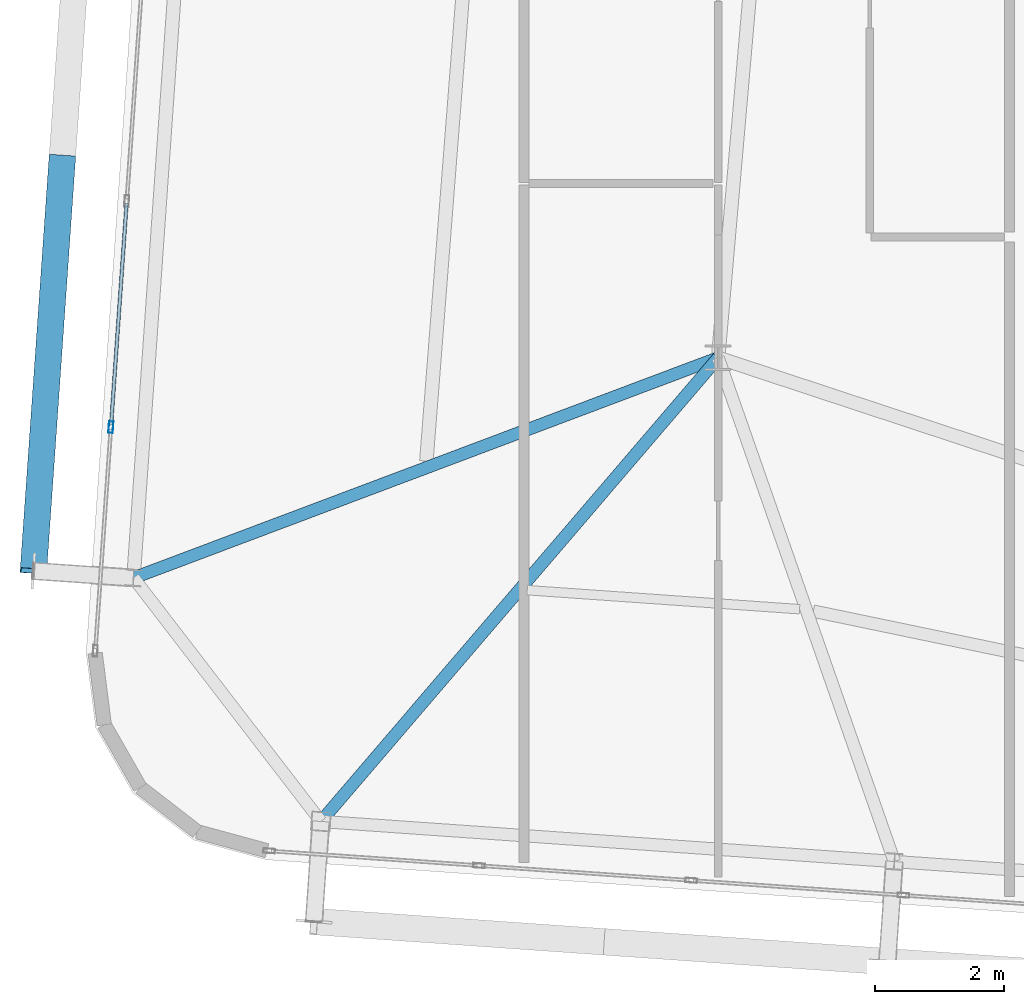
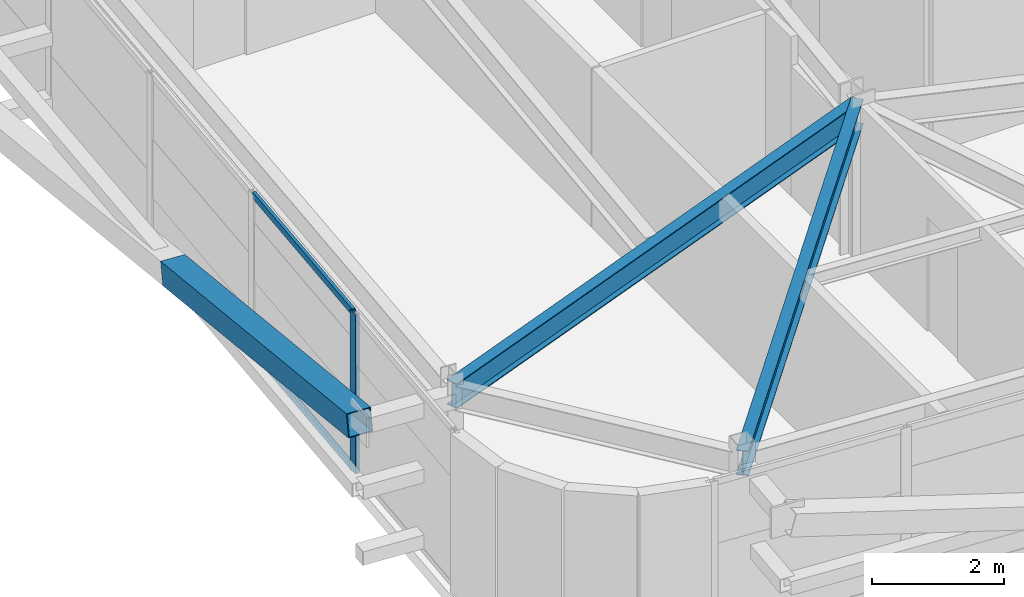
# One storey, part 8 of 47: 4 members, 2 beams, 1 element without a shape of its own.
"""IFC4 building model written with IfcOpenShell, lengths in metres."""

from ifc_helpers import new_model, si_unit, direction, frame, origin, origin_2d, place, context, subcontext, project, spatial, hollow_rectangle, i_section, extrude, source, transform, mapped, material, layer, layer_set, material_profile, profile_set, type_object, element, aggregate, save


model = new_model("IFC4")

# Units and contexts
model_context = context("Model", 3, precision=1e-05, world=origin(), true_north=direction((0.0, 1.0)))
body_context = subcontext(model_context, "Body", "Model", "MODEL_VIEW")
ifc_project = project(units=[si_unit("LENGTHUNIT", "METRE"), si_unit("AREAUNIT", "SQUARE_METRE"), si_unit("VOLUMEUNIT", "CUBIC_METRE"), si_unit("PLANEANGLEUNIT", "RADIAN"), si_unit("MASSUNIT", "GRAM", prefix="KILO")], contexts=[model_context])

# Site, building, storey
site_placement = place(None, origin())
site = spatial("IfcSite", under=ifc_project, at=site_placement, CompositionType="ELEMENT")
building_placement = place(site_placement, origin())
building = spatial("IfcBuilding", under=site, at=building_placement, Name="Taldren Reach Tower", CompositionType="ELEMENT")
storey_placement = place(building_placement, frame((0.0, 0.0, 142.449951171875)))
storey = spatial("IfcBuildingStorey", under=building, at=storey_placement, Name="L43", CompositionType="ELEMENT", Elevation=142.449951171875)

# Beams
ifc_material_1 = material(Name="Steel Gr 350 (350PLUS)", Category="steel")
ifc_material_profile_1 = material_profile(ifc_material_1, i_section(OverallWidth=0.19091796875, OverallDepth=0.4599609375, WebThickness=0.010009765625, FlangeThickness=0.01611328125, at=origin_2d()), Name="460UB82.1")
ifc_profile_set_1 = profile_set([ifc_material_profile_1], Name="Steel Gr 350 (350PLUS)")
beam_type = type_object("IfcBeamType", Name="BM-UB460A", PredefinedType="BEAM", material=ifc_profile_set_1)
shared_shape_1 = source(origin(), body_context, "Body", "SweptSolid", [
    extrude(i_section(OverallWidth=0.19091796875, OverallDepth=0.4599609375, WebThickness=0.010009765625, FlangeThickness=0.01611328125, at=origin_2d()), origin(), (0.0, 0.0, 1.0), 9.43115234375),
])
beam_1_placement = place(storey_placement, frame((18.0, 12.5, 2.699951171875), z_axis=(-0.650665584965, -0.759364402999, 0.0), x_axis=(0.759364402999, -0.650665584965, 0.0)))
element("IfcBeam", 1, at=beam_1_placement, inside=storey, type_object=beam_type, Name="Primary floor girder B3-S1 L43", PredefinedType="BEAM", context=body_context, shape_type="MappedRepresentation", body=[
    mapped(shared_shape_1, transform((0.0, 0.0, 0.0), scale=1.0)),
])
shared_shape_2 = source(origin(), body_context, "Body", "SweptSolid", [
    extrude(i_section(OverallWidth=0.19091796875, OverallDepth=0.4599609375, WebThickness=0.010009765625, FlangeThickness=0.01611328125, at=origin_2d()), origin(), (0.0, 0.0, 1.0), 9.650146484375),
])
beam_2_placement = place(storey_placement, frame((18.0, 12.5, 2.699951171875), z_axis=(-0.935862573906, -0.352365212191, 0.0), x_axis=(0.352365212191, -0.935862573906, 0.0)))
element("IfcBeam", 2, at=beam_2_placement, inside=storey, type_object=beam_type, Name="Primary floor girder B3-W1 L43", PredefinedType="BEAM", context=body_context, shape_type="MappedRepresentation", body=[
    mapped(shared_shape_2, transform((0.0, 0.0, 0.0), scale=1.0)),
])

# Member
ifc_material_2 = material(Name="Steel Gr 450 (C450L0)", Category="steel")
ifc_material_profile_2 = material_profile(ifc_material_2, hollow_rectangle(XDim=0.409912109375, YDim=0.409912109375, WallThickness=0.01611328125, at=origin_2d()), Name="410x410x16.0SHS")
ifc_profile_set_2 = profile_set([ifc_material_profile_2], Name="Steel Gr 450 (C450L0)")
member_type_1 = type_object("IfcMemberType", Name="MB-EXO406", PredefinedType="BRACE", material=ifc_profile_set_2)
shared_shape_3 = source(origin(), body_context, "Body", "SweptSolid", [
    extrude(hollow_rectangle(XDim=0.409912109375, YDim=0.409912109375, WallThickness=0.01611328125, at=origin_2d()), origin(), (0.0, 0.0, 1.0), 6.514404296875),
])
member_1_placement = place(storey_placement, frame((7.869140625, 15.592041015625, 1.43505859375), z_axis=(-0.068545126831, -0.980056649402, 0.186522195865), x_axis=(0.997563137195, -0.069769529958, 0.0)))
element("IfcMember", 3, at=member_1_placement, inside=storey, type_object=member_type_1, Name="Exoskeleton Diagrid Brace B3-W1 L43", PredefinedType="BRACE", context=body_context, shape_type="MappedRepresentation", body=[
    mapped(shared_shape_3, transform((0.0, 0.0, 0.0), scale=1.0)),
])

# Curtain wall, members
ifc_material_3 = material(Name="Aluminium and Low-E Glass Unitised System", Category="aluminium")
ifc_layer = layer(ifc_material_3, 0.159912109375)
ifc_layer_set = layer_set([ifc_layer], Name="Aluminium and Low-E Glass Unitised System")
curtain_wall_type = type_object("IfcCurtainWallType", Name="CW-SYS-4", PredefinedType="NOTDEFINED", material=ifc_layer_set)
curtain_wall_placement = place(storey_placement, origin())
curtain_wall = element("IfcCurtainWall", 4, at=curtain_wall_placement, inside=storey, type_object=curtain_wall_type, Name="Unitised curtain wall CW-L43-W", PredefinedType="NOTDEFINED")
ifc_material_4 = material(Name="Anodised Aluminium 6063-T6", Category="aluminium")
ifc_material_profile_3 = material_profile(ifc_material_4, hollow_rectangle(XDim=0.070068359375, YDim=0.179931640625, WallThickness=0.00390625, at=origin_2d()), Name="ALU-180x70x4RHS")
ifc_profile_set_3 = profile_set([ifc_material_profile_3], Name="Anodised Aluminium 6063-T6")
member_type_2 = type_object("IfcMemberType", Name="CW-MUL-180", PredefinedType="MULLION", material=ifc_profile_set_3)
shared_shape_4 = source(origin(), body_context, "Body", "SweptSolid", [
    extrude(hollow_rectangle(XDim=0.070068359375, YDim=0.179931640625, WallThickness=0.00390625, at=origin_2d()), origin(), (0.0, 0.0, 1.0), 2.929931640625),
])
member_2_placement = place(storey_placement, frame((8.62060546875, 11.429443359375, 0.0), z_axis=(0.0, 0.0, 1.0), x_axis=(0.997564052812, -0.069756437251, 0.0)))
member_2 = element("IfcMember", 5, at=member_2_placement, type_object=member_type_2, Name="CW-4 mullion 8", PredefinedType="MULLION", context=body_context, shape_type="MappedRepresentation", body=[
    mapped(shared_shape_4, transform((0.0, 0.0, 0.0), scale=1.0)),
])
ifc_material_profile_4 = material_profile(ifc_material_4, hollow_rectangle(XDim=0.054931640625, YDim=0.1201171875, WallThickness=0.0029296875, at=origin_2d()), Name="ALU-120x55x3RHS")
ifc_profile_set_4 = profile_set([ifc_material_profile_4], Name="Anodised Aluminium 6063-T6")
member_type_3 = type_object("IfcMemberType", Name="CW-TRN-135", PredefinedType="USERDEFINED", material=ifc_profile_set_4)
shared_shape_5 = source(origin(), body_context, "Body", "SweptSolid", [
    extrude(hollow_rectangle(XDim=0.054931640625, YDim=0.1201171875, WallThickness=0.0029296875, at=origin_2d()), origin(), (0.0, 0.0, 1.0), 3.429931640625),
])
member_3_placement = place(storey_placement, frame((8.8623046875, 14.885986328125, 0.027587890625), z_axis=(-0.069754754695, -0.997564170466, 0.0), x_axis=(0.997564170466, -0.069754754695, 0.0)))
member_3 = element("IfcMember", 6, at=member_3_placement, type_object=member_type_3, Name="CW-4 transom 7.1", ObjectType="TRANSOM", PredefinedType="USERDEFINED", context=body_context, shape_type="MappedRepresentation", body=[
    mapped(shared_shape_5, transform((0.0, 0.0, 0.0), scale=1.0)),
])
member_4_placement = place(storey_placement, frame((8.8623046875, 14.885986328125, 2.902587890625), z_axis=(-0.069754754695, -0.997564170466, 0.0), x_axis=(0.997564170466, -0.069754754695, 0.0)))
member_4 = element("IfcMember", 7, at=member_4_placement, type_object=member_type_3, Name="CW-4 transom 7.2", ObjectType="TRANSOM", PredefinedType="USERDEFINED", context=body_context, shape_type="MappedRepresentation", body=[
    mapped(shared_shape_5, transform((0.0, 0.0, 0.0), scale=1.0)),
])
aggregate(curtain_wall, [member_2, member_3, member_4])

save(model, "model.ifc")
